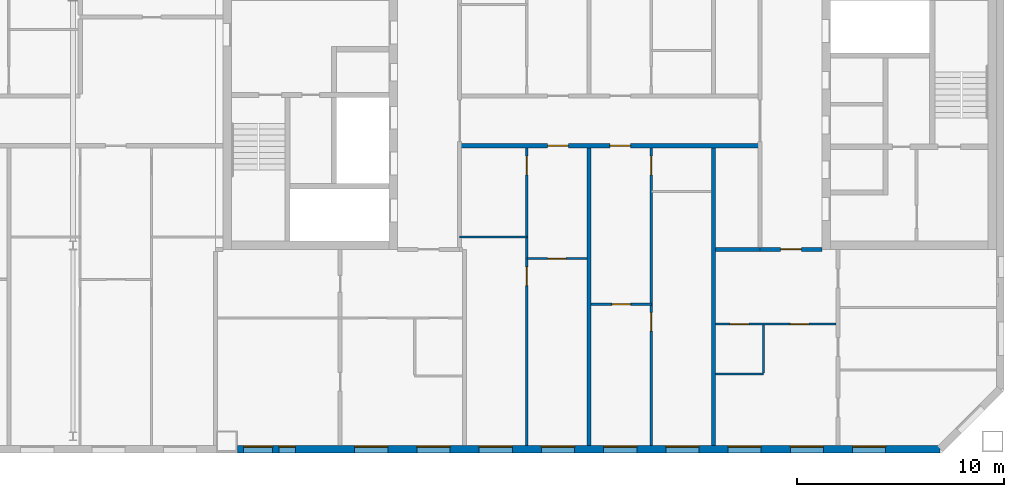
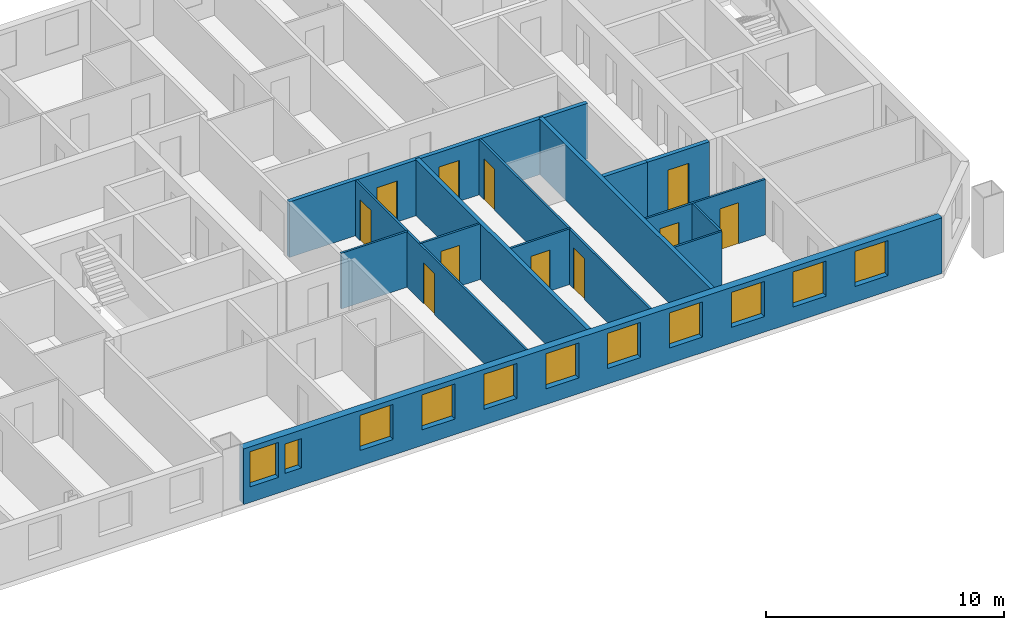
# One storey, part 14 of 19: 14 walls, 11 doors, 11 windows, 22 openings.
"""IFC4 building model written with IfcOpenShell, lengths in metres."""

from ifc_helpers import new_model, si_unit, direction, frame, frame_2d, origin, place, context, subcontext, project, spatial, rectangle, extrude, material, layer, layer_set, type_object, element, fill, save


model = new_model("IFC4")

# Units and contexts
model_context = context("Model", 3, precision=1e-05, world=origin(), true_north=direction((0.0, 1.0)))
body_context = subcontext(model_context, "Body", "Model", "MODEL_VIEW")
ifc_project = project(units=[si_unit("LENGTHUNIT", "METRE"), si_unit("AREAUNIT", "SQUARE_METRE"), si_unit("VOLUMEUNIT", "CUBIC_METRE"), si_unit("PLANEANGLEUNIT", "RADIAN"), si_unit("MASSUNIT", "GRAM", prefix="KILO")], contexts=[model_context])

# Site, building, storey
site_placement = place(None, origin())
site = spatial("IfcSite", under=ifc_project, at=site_placement, CompositionType="ELEMENT")
building_placement = place(site_placement, origin())
building = spatial("IfcBuilding", under=site, at=building_placement, Name="Tuart Gate Housing", CompositionType="ELEMENT")
storey_placement = place(building_placement, frame((0.0, 0.0, 209.0)))
storey = spatial("IfcBuildingStorey", under=building, at=storey_placement, Name="L59", CompositionType="ELEMENT", Elevation=209.0)

# Wall, openings, windows
ifc_material_1 = material(Name="Brick", Category="masonry")
ifc_layer_1 = layer(ifc_material_1, 0.360107421875)
ifc_layer_set_1 = layer_set([ifc_layer_1], Name="Brick pier and spandrel wall 360")
wall_type_1 = type_object("IfcWallType", Name="Brick pier and spandrel wall 360", PredefinedType="STANDARD", material=ifc_layer_set_1)
wall_1_placement = place(storey_placement, frame((132.050048828125, 54.179931640625, 0.0), z_axis=(0.0, 0.0, 1.0), x_axis=(1.0, 0.0, 0.0)))
wall_1 = element("IfcWall", 1, at=wall_1_placement, inside=storey, type_object=wall_type_1, Name="External wall BLK-S L59", PredefinedType="STANDARD", context=body_context, shape_type="SweptSolid", body=[
    extrude(rectangle(XDim=33.87548828125, YDim=0.360107421875, at=frame_2d((16.937744140625, 0.0))), origin(), (0.0, 0.0, 1.0), 2.85009765625),
])
opening_1_placement = place(wall_1_placement, frame((0.300048828125, 0.0, 0.800048828125)))
opening_1 = element("IfcOpeningElement", 2, at=opening_1_placement, cuts=wall_1, Name="Opening W1A", PredefinedType="OPENING", context=body_context, shape_type="SweptSolid", body=[
    extrude(rectangle(XDim=1.39990234375, YDim=1.800048828125, at=frame_2d((0.699951171875, 0.89990234375))), frame((0.0, 0.18994140625, 0.0), z_axis=(0.0, -1.0, 0.0), x_axis=(1.0, 0.0, 0.0)), (0.0, 0.0, 1.0), 0.380126953125),
])
opening_2_placement = place(wall_1_placement, frame((5.64990234375, 0.0, 0.800048828125)))
opening_2 = element("IfcOpeningElement", 3, at=opening_2_placement, cuts=wall_1, Name="Opening W1", PredefinedType="OPENING", context=body_context, shape_type="SweptSolid", body=[
    extrude(rectangle(XDim=1.60009765625, YDim=1.800048828125, at=frame_2d((0.800048828125, 0.89990234375))), frame((0.0, 0.18994140625, 0.0), z_axis=(0.0, -1.0, 0.0), x_axis=(1.0, 0.0, 0.0)), (0.0, 0.0, 1.0), 0.380126953125),
])
opening_3_placement = place(wall_1_placement, frame((8.64990234375, 0.0, 0.800048828125)))
opening_3 = element("IfcOpeningElement", 4, at=opening_3_placement, cuts=wall_1, Name="Opening W1", PredefinedType="OPENING", context=body_context, shape_type="SweptSolid", body=[
    extrude(rectangle(XDim=1.60009765625, YDim=1.800048828125, at=frame_2d((0.800048828125, 0.89990234375))), frame((0.0, 0.18994140625, 0.0), z_axis=(0.0, -1.0, 0.0), x_axis=(1.0, 0.0, 0.0)), (0.0, 0.0, 1.0), 0.380126953125),
])
opening_4_placement = place(wall_1_placement, frame((11.64990234375, 0.0, 0.800048828125)))
opening_4 = element("IfcOpeningElement", 5, at=opening_4_placement, cuts=wall_1, Name="Opening W1", PredefinedType="OPENING", context=body_context, shape_type="SweptSolid", body=[
    extrude(rectangle(XDim=1.60009765625, YDim=1.800048828125, at=frame_2d((0.800048828125, 0.89990234375))), frame((0.0, 0.18994140625, 0.0), z_axis=(0.0, -1.0, 0.0), x_axis=(1.0, 0.0, 0.0)), (0.0, 0.0, 1.0), 0.380126953125),
])
opening_5_placement = place(wall_1_placement, frame((14.64990234375, 0.0, 0.800048828125)))
opening_5 = element("IfcOpeningElement", 6, at=opening_5_placement, cuts=wall_1, Name="Opening W1", PredefinedType="OPENING", context=body_context, shape_type="SweptSolid", body=[
    extrude(rectangle(XDim=1.60009765625, YDim=1.800048828125, at=frame_2d((0.800048828125, 0.89990234375))), frame((0.0, 0.18994140625, 0.0), z_axis=(0.0, -1.0, 0.0), x_axis=(1.0, 0.0, 0.0)), (0.0, 0.0, 1.0), 0.380126953125),
])
opening_6_placement = place(wall_1_placement, frame((17.64990234375, 0.0, 0.800048828125)))
opening_6 = element("IfcOpeningElement", 7, at=opening_6_placement, cuts=wall_1, Name="Opening W1", PredefinedType="OPENING", context=body_context, shape_type="SweptSolid", body=[
    extrude(rectangle(XDim=1.60009765625, YDim=1.800048828125, at=frame_2d((0.800048828125, 0.89990234375))), frame((0.0, 0.18994140625, 0.0), z_axis=(0.0, -1.0, 0.0), x_axis=(1.0, 0.0, 0.0)), (0.0, 0.0, 1.0), 0.380126953125),
])
opening_7_placement = place(wall_1_placement, frame((20.64990234375, 0.0, 0.800048828125)))
opening_7 = element("IfcOpeningElement", 8, at=opening_7_placement, cuts=wall_1, Name="Opening W1", PredefinedType="OPENING", context=body_context, shape_type="SweptSolid", body=[
    extrude(rectangle(XDim=1.60009765625, YDim=1.800048828125, at=frame_2d((0.800048828125, 0.89990234375))), frame((0.0, 0.18994140625, 0.0), z_axis=(0.0, -1.0, 0.0), x_axis=(1.0, 0.0, 0.0)), (0.0, 0.0, 1.0), 0.380126953125),
])
opening_8_placement = place(wall_1_placement, frame((23.64990234375, 0.0, 0.800048828125)))
opening_8 = element("IfcOpeningElement", 9, at=opening_8_placement, cuts=wall_1, Name="Opening W1", PredefinedType="OPENING", context=body_context, shape_type="SweptSolid", body=[
    extrude(rectangle(XDim=1.60009765625, YDim=1.800048828125, at=frame_2d((0.800048828125, 0.89990234375))), frame((0.0, 0.18994140625, 0.0), z_axis=(0.0, -1.0, 0.0), x_axis=(1.0, 0.0, 0.0)), (0.0, 0.0, 1.0), 0.380126953125),
])
opening_9_placement = place(wall_1_placement, frame((26.64990234375, 0.0, 0.800048828125)))
opening_9 = element("IfcOpeningElement", 10, at=opening_9_placement, cuts=wall_1, Name="Opening W1", PredefinedType="OPENING", context=body_context, shape_type="SweptSolid", body=[
    extrude(rectangle(XDim=1.60009765625, YDim=1.800048828125, at=frame_2d((0.800048828125, 0.89990234375))), frame((0.0, 0.18994140625, 0.0), z_axis=(0.0, -1.0, 0.0), x_axis=(1.0, 0.0, 0.0)), (0.0, 0.0, 1.0), 0.380126953125),
])
opening_10_placement = place(wall_1_placement, frame((29.64990234375, 0.0, 0.800048828125)))
opening_10 = element("IfcOpeningElement", 11, at=opening_10_placement, cuts=wall_1, Name="Opening W1", PredefinedType="OPENING", context=body_context, shape_type="SweptSolid", body=[
    extrude(rectangle(XDim=1.60009765625, YDim=1.800048828125, at=frame_2d((0.800048828125, 0.89990234375))), frame((0.0, 0.18994140625, 0.0), z_axis=(0.0, -1.0, 0.0), x_axis=(1.0, 0.0, 0.0)), (0.0, 0.0, 1.0), 0.380126953125),
])
opening_11_placement = place(wall_1_placement, frame((2.0, 0.0, 0.89990234375)))
opening_11 = element("IfcOpeningElement", 12, at=opening_11_placement, cuts=wall_1, Name="Opening W1J", PredefinedType="OPENING", context=body_context, shape_type="SweptSolid", body=[
    extrude(rectangle(XDim=0.800048828125, YDim=1.5, at=frame_2d((0.39990234375, 0.75))), frame((0.0, 0.18994140625, 0.0), z_axis=(0.0, -1.0, 0.0), x_axis=(1.0, 0.0, 0.0)), (0.0, 0.0, 1.0), 0.380126953125),
])
ifc_material_2 = material(Name="Aluminium frame with clear glass", Category="aluminium")
window_type_1 = type_object("IfcWindowType", Name="Punched window 1400 x 1800", PartitioningType="SINGLE_PANEL", PredefinedType="WINDOW", material=ifc_material_2)
window_1_placement = place(opening_1_placement, origin())
window_1 = element("IfcWindow", 13, at=window_1_placement, inside=storey, type_object=window_type_1, Name="Window W1A", OverallHeight=1.800048828125, OverallWidth=1.39990234375, PartitioningType="SINGLE_PANEL", PredefinedType="WINDOW", context=body_context, shape_type="SweptSolid", body=[
    extrude(rectangle(XDim=1.39990234375, YDim=1.800048828125, at=frame_2d((0.699951171875, 0.89990234375))), frame((0.0, 0.150146484375, 0.0), z_axis=(0.0, -1.0, 0.0), x_axis=(1.0, 0.0, 0.0)), (0.0, 0.0, 1.0), 0.06005859375),
])
fill(opening_1, window_1)
ifc_material_3 = material(Name="Aluminium frame with clear glass", Category="aluminium")
window_type_2 = type_object("IfcWindowType", Name="Punched window 1600 x 1800", PartitioningType="SINGLE_PANEL", PredefinedType="WINDOW", material=ifc_material_3)
window_2_placement = place(opening_2_placement, origin())
window_2 = element("IfcWindow", 14, at=window_2_placement, inside=storey, type_object=window_type_2, Name="Window W1", OverallHeight=1.800048828125, OverallWidth=1.60009765625, PartitioningType="SINGLE_PANEL", PredefinedType="WINDOW", context=body_context, shape_type="SweptSolid", body=[
    extrude(rectangle(XDim=1.60009765625, YDim=1.800048828125, at=frame_2d((0.800048828125, 0.89990234375))), frame((0.0, 0.150146484375, 0.0), z_axis=(0.0, -1.0, 0.0), x_axis=(1.0, 0.0, 0.0)), (0.0, 0.0, 1.0), 0.06005859375),
])
fill(opening_2, window_2)
window_3_placement = place(opening_3_placement, origin())
window_3 = element("IfcWindow", 15, at=window_3_placement, inside=storey, type_object=window_type_2, Name="Window W1", OverallHeight=1.800048828125, OverallWidth=1.60009765625, PartitioningType="SINGLE_PANEL", PredefinedType="WINDOW", context=body_context, shape_type="SweptSolid", body=[
    extrude(rectangle(XDim=1.60009765625, YDim=1.800048828125, at=frame_2d((0.800048828125, 0.89990234375))), frame((0.0, 0.150146484375, 0.0), z_axis=(0.0, -1.0, 0.0), x_axis=(1.0, 0.0, 0.0)), (0.0, 0.0, 1.0), 0.06005859375),
])
fill(opening_3, window_3)
window_4_placement = place(opening_4_placement, origin())
window_4 = element("IfcWindow", 16, at=window_4_placement, inside=storey, type_object=window_type_2, Name="Window W1", OverallHeight=1.800048828125, OverallWidth=1.60009765625, PartitioningType="SINGLE_PANEL", PredefinedType="WINDOW", context=body_context, shape_type="SweptSolid", body=[
    extrude(rectangle(XDim=1.60009765625, YDim=1.800048828125, at=frame_2d((0.800048828125, 0.89990234375))), frame((0.0, 0.150146484375, 0.0), z_axis=(0.0, -1.0, 0.0), x_axis=(1.0, 0.0, 0.0)), (0.0, 0.0, 1.0), 0.06005859375),
])
fill(opening_4, window_4)
window_5_placement = place(opening_5_placement, origin())
window_5 = element("IfcWindow", 17, at=window_5_placement, inside=storey, type_object=window_type_2, Name="Window W1", OverallHeight=1.800048828125, OverallWidth=1.60009765625, PartitioningType="SINGLE_PANEL", PredefinedType="WINDOW", context=body_context, shape_type="SweptSolid", body=[
    extrude(rectangle(XDim=1.60009765625, YDim=1.800048828125, at=frame_2d((0.800048828125, 0.89990234375))), frame((0.0, 0.150146484375, 0.0), z_axis=(0.0, -1.0, 0.0), x_axis=(1.0, 0.0, 0.0)), (0.0, 0.0, 1.0), 0.06005859375),
])
fill(opening_5, window_5)
window_6_placement = place(opening_6_placement, origin())
window_6 = element("IfcWindow", 18, at=window_6_placement, inside=storey, type_object=window_type_2, Name="Window W1", OverallHeight=1.800048828125, OverallWidth=1.60009765625, PartitioningType="SINGLE_PANEL", PredefinedType="WINDOW", context=body_context, shape_type="SweptSolid", body=[
    extrude(rectangle(XDim=1.60009765625, YDim=1.800048828125, at=frame_2d((0.800048828125, 0.89990234375))), frame((0.0, 0.150146484375, 0.0), z_axis=(0.0, -1.0, 0.0), x_axis=(1.0, 0.0, 0.0)), (0.0, 0.0, 1.0), 0.06005859375),
])
fill(opening_6, window_6)
window_7_placement = place(opening_7_placement, origin())
window_7 = element("IfcWindow", 19, at=window_7_placement, inside=storey, type_object=window_type_2, Name="Window W1", OverallHeight=1.800048828125, OverallWidth=1.60009765625, PartitioningType="SINGLE_PANEL", PredefinedType="WINDOW", context=body_context, shape_type="SweptSolid", body=[
    extrude(rectangle(XDim=1.60009765625, YDim=1.800048828125, at=frame_2d((0.800048828125, 0.89990234375))), frame((0.0, 0.150146484375, 0.0), z_axis=(0.0, -1.0, 0.0), x_axis=(1.0, 0.0, 0.0)), (0.0, 0.0, 1.0), 0.06005859375),
])
fill(opening_7, window_7)
window_8_placement = place(opening_8_placement, origin())
window_8 = element("IfcWindow", 20, at=window_8_placement, inside=storey, type_object=window_type_2, Name="Window W1", OverallHeight=1.800048828125, OverallWidth=1.60009765625, PartitioningType="SINGLE_PANEL", PredefinedType="WINDOW", context=body_context, shape_type="SweptSolid", body=[
    extrude(rectangle(XDim=1.60009765625, YDim=1.800048828125, at=frame_2d((0.800048828125, 0.89990234375))), frame((0.0, 0.150146484375, 0.0), z_axis=(0.0, -1.0, 0.0), x_axis=(1.0, 0.0, 0.0)), (0.0, 0.0, 1.0), 0.06005859375),
])
fill(opening_8, window_8)
window_9_placement = place(opening_9_placement, origin())
window_9 = element("IfcWindow", 21, at=window_9_placement, inside=storey, type_object=window_type_2, Name="Window W1", OverallHeight=1.800048828125, OverallWidth=1.60009765625, PartitioningType="SINGLE_PANEL", PredefinedType="WINDOW", context=body_context, shape_type="SweptSolid", body=[
    extrude(rectangle(XDim=1.60009765625, YDim=1.800048828125, at=frame_2d((0.800048828125, 0.89990234375))), frame((0.0, 0.150146484375, 0.0), z_axis=(0.0, -1.0, 0.0), x_axis=(1.0, 0.0, 0.0)), (0.0, 0.0, 1.0), 0.06005859375),
])
fill(opening_9, window_9)
window_10_placement = place(opening_10_placement, origin())
window_10 = element("IfcWindow", 22, at=window_10_placement, inside=storey, type_object=window_type_2, Name="Window W1", OverallHeight=1.800048828125, OverallWidth=1.60009765625, PartitioningType="SINGLE_PANEL", PredefinedType="WINDOW", context=body_context, shape_type="SweptSolid", body=[
    extrude(rectangle(XDim=1.60009765625, YDim=1.800048828125, at=frame_2d((0.800048828125, 0.89990234375))), frame((0.0, 0.150146484375, 0.0), z_axis=(0.0, -1.0, 0.0), x_axis=(1.0, 0.0, 0.0)), (0.0, 0.0, 1.0), 0.06005859375),
])
fill(opening_10, window_10)
ifc_material_4 = material(Name="Aluminium frame with clear glass", Category="aluminium")
window_type_3 = type_object("IfcWindowType", Name="Punched window 800 x 1500", PartitioningType="SINGLE_PANEL", PredefinedType="WINDOW", material=ifc_material_4)
window_11_placement = place(opening_11_placement, origin())
window_11 = element("IfcWindow", 23, at=window_11_placement, inside=storey, type_object=window_type_3, Name="Window W1J", OverallHeight=1.5, OverallWidth=0.800048828125, PartitioningType="SINGLE_PANEL", PredefinedType="WINDOW", context=body_context, shape_type="SweptSolid", body=[
    extrude(rectangle(XDim=0.800048828125, YDim=1.5, at=frame_2d((0.39990234375, 0.75))), frame((0.0, 0.150146484375, 0.0), z_axis=(0.0, -1.0, 0.0), x_axis=(1.0, 0.0, 0.0)), (0.0, 0.0, 1.0), 0.06005859375),
])
fill(opening_11, window_11)

# Wall, openings, doors
ifc_material_5 = material(Name="Concrete masonry 15 MPa", Category="masonry")
ifc_layer_2 = layer(ifc_material_5, 0.199951171875)
ifc_layer_set_2 = layer_set([ifc_layer_2], Name="Corridor wall masonry 200")
wall_type_2 = type_object("IfcWallType", Name="Corridor wall masonry 200", PredefinedType="PARTITIONING", material=ifc_layer_set_2)
wall_2_placement = place(storey_placement, frame((142.760009765625, 68.800048828125, 0.0), z_axis=(0.0, 0.0, 1.0), x_axis=(1.0, 0.0, 0.0)))
wall_2 = element("IfcWall", 24, at=wall_2_placement, inside=storey, type_object=wall_type_2, Name="Corridor wall masonry 200", PredefinedType="PARTITIONING", context=body_context, shape_type="SweptSolid", body=[
    extrude(rectangle(XDim=14.47998046875, YDim=0.199951171875, at=frame_2d((7.239990234375, 0.0))), origin(), (0.0, 0.0, 1.0), 2.85009765625),
])
opening_12_placement = place(wall_2_placement, frame((4.239990234375, 0.0, 0.0)))
opening_12 = element("IfcOpeningElement", 25, at=opening_12_placement, cuts=wall_2, Name="Opening D2254", PredefinedType="OPENING", context=body_context, shape_type="SweptSolid", body=[
    extrude(rectangle(XDim=1.0, YDim=2.10009765625, at=frame_2d((0.5, 1.050048828125))), frame((0.0, 0.10986328125, 0.0), z_axis=(0.0, -1.0, 0.0), x_axis=(1.0, 0.0, 0.0)), (0.0, 0.0, 1.0), 0.219970703125),
])
opening_13_placement = place(wall_2_placement, frame((7.239990234375, 0.0, 0.0)))
opening_13 = element("IfcOpeningElement", 26, at=opening_13_placement, cuts=wall_2, Name="Opening D2255", PredefinedType="OPENING", context=body_context, shape_type="SweptSolid", body=[
    extrude(rectangle(XDim=1.0, YDim=2.10009765625, at=frame_2d((0.5, 1.050048828125))), frame((0.0, 0.10986328125, 0.0), z_axis=(0.0, -1.0, 0.0), x_axis=(1.0, 0.0, 0.0)), (0.0, 0.0, 1.0), 0.219970703125),
])
ifc_material_6 = material(Name="Timber door leaf in steel frame", Category="steel")
door_type_1 = type_object("IfcDoorType", Name="Flat entrance door 1000 RH", OperationType="SINGLE_SWING_RIGHT", PredefinedType="DOOR", material=ifc_material_6)
door_1_placement = place(opening_12_placement, frame((1.0, 0.0, 0.0), z_axis=(0.0, 0.0, 1.0), x_axis=(-1.0, 0.0, 0.0)))
door_1 = element("IfcDoor", 27, at=door_1_placement, inside=storey, type_object=door_type_1, Name="Flat entrance door", OperationType="SINGLE_SWING_RIGHT", OverallHeight=2.10009765625, OverallWidth=1.0, PredefinedType="DOOR", context=body_context, shape_type="SweptSolid", body=[
    extrude(rectangle(XDim=1.0, YDim=2.10009765625, at=frame_2d((0.5, 1.050048828125))), frame((0.0, 0.025146484375, 0.0), z_axis=(0.0, -1.0, 0.0), x_axis=(1.0, 0.0, 0.0)), (0.0, 0.0, 1.0), 0.050048828125),
])
fill(opening_12, door_1)
door_2_placement = place(opening_13_placement, frame((1.0, 0.0, 0.0), z_axis=(0.0, 0.0, 1.0), x_axis=(-1.0, 0.0, 0.0)))
door_2 = element("IfcDoor", 28, at=door_2_placement, inside=storey, type_object=door_type_1, Name="Flat entrance door", OperationType="SINGLE_SWING_RIGHT", OverallHeight=2.10009765625, OverallWidth=1.0, PredefinedType="DOOR", context=body_context, shape_type="SweptSolid", body=[
    extrude(rectangle(XDim=1.0, YDim=2.10009765625, at=frame_2d((0.5, 1.050048828125))), frame((0.0, 0.025146484375, 0.0), z_axis=(0.0, -1.0, 0.0), x_axis=(1.0, 0.0, 0.0)), (0.0, 0.0, 1.0), 0.050048828125),
])
fill(opening_13, door_2)

# Wall, opening, door
ifc_material_7 = material(Name="Concrete masonry 15 MPa", Category="masonry")
ifc_layer_3 = layer(ifc_material_7, 0.199951171875)
ifc_layer_set_3 = layer_set([ifc_layer_3], Name="Enclosure wall masonry 200")
wall_type_3 = type_object("IfcWallType", Name="Enclosure wall masonry 200", PredefinedType="PARTITIONING", material=ifc_layer_set_3)
wall_3_placement = place(storey_placement, frame((157.239990234375, 63.800048828125, 0.0), z_axis=(0.0, 0.0, 1.0), x_axis=(1.0, 0.0, 0.0)))
wall_3 = element("IfcWall", 29, at=wall_3_placement, inside=storey, type_object=wall_type_3, Name="Enclosure wall masonry 200", PredefinedType="PARTITIONING", context=body_context, shape_type="SweptSolid", body=[
    extrude(rectangle(XDim=3.0, YDim=0.199951171875, at=frame_2d((1.5, 0.0))), origin(), (0.0, 0.0, 1.0), 2.85009765625),
])
opening_14_placement = place(wall_3_placement, frame((1.0, 0.0, 0.0)))
opening_14 = element("IfcOpeningElement", 30, at=opening_14_placement, cuts=wall_3, Name="Opening D2260", PredefinedType="OPENING", context=body_context, shape_type="SweptSolid", body=[
    extrude(rectangle(XDim=1.0, YDim=2.10009765625, at=frame_2d((0.5, 1.050048828125))), frame((0.0, 0.10986328125, 0.0), z_axis=(0.0, -1.0, 0.0), x_axis=(1.0, 0.0, 0.0)), (0.0, 0.0, 1.0), 0.219970703125),
])
ifc_material_8 = material(Name="Timber door leaf in steel frame", Category="steel")
door_type_2 = type_object("IfcDoorType", Name="Flat entrance door 1000", OperationType="SINGLE_SWING_LEFT", PredefinedType="DOOR", material=ifc_material_8)
door_3_placement = place(opening_14_placement, frame((1.0, 0.0, 0.0), z_axis=(0.0, 0.0, 1.0), x_axis=(-1.0, 0.0, 0.0)))
door_3 = element("IfcDoor", 31, at=door_3_placement, inside=storey, type_object=door_type_2, Name="Flat entrance door", OperationType="SINGLE_SWING_LEFT", OverallHeight=2.10009765625, OverallWidth=1.0, PredefinedType="DOOR", context=body_context, shape_type="SweptSolid", body=[
    extrude(rectangle(XDim=1.0, YDim=2.10009765625, at=frame_2d((0.5, 1.050048828125))), frame((0.0, 0.025146484375, 0.0), z_axis=(0.0, -1.0, 0.0), x_axis=(1.0, 0.0, 0.0)), (0.0, 0.0, 1.0), 0.050048828125),
])
fill(opening_14, door_3)

# Wall
ifc_material_9 = material(Name="Gypsum board on steel studs", Category="steel")
ifc_layer_4 = layer(ifc_material_9, 0.10009765625)
ifc_layer_set_4 = layer_set([ifc_layer_4], Name="Partition 100")
wall_type_4 = type_object("IfcWallType", Name="Partition 100", PredefinedType="PARTITIONING", material=ifc_layer_set_4)
wall_4_placement = place(storey_placement, frame((155.10009765625, 57.800048828125, 0.0), z_axis=(0.0, 0.0, 1.0), x_axis=(1.0, 0.0, 0.0)))
element("IfcWall", 32, at=wall_4_placement, inside=storey, type_object=wall_type_4, Name="Partition 100", PredefinedType="PARTITIONING", context=body_context, shape_type="SweptSolid", body=[
    extrude(rectangle(XDim=2.2998046875, YDim=0.10009765625, at=frame_2d((1.14990234375, 0.0))), origin(), (0.0, 0.0, 1.0), 2.85009765625),
])

# Wall, openings, doors
wall_5_placement = place(storey_placement, frame((155.10009765625, 60.199951171875, 0.0), z_axis=(0.0, 0.0, 1.0), x_axis=(1.0, 0.0, 0.0)))
wall_5 = element("IfcWall", 33, at=wall_5_placement, inside=storey, type_object=wall_type_4, Name="Partition 100", PredefinedType="PARTITIONING", context=body_context, shape_type="SweptSolid", body=[
    extrude(rectangle(XDim=5.7998046875, YDim=0.10009765625, at=frame_2d((2.89990234375, 0.0))), origin(), (0.0, 0.0, 1.0), 2.85009765625),
])
opening_15_placement = place(wall_5_placement, frame((3.60009765625, 0.0, 0.0)))
opening_15 = element("IfcOpeningElement", 34, at=opening_15_placement, cuts=wall_5, Name="Opening D2270", PredefinedType="OPENING", context=body_context, shape_type="SweptSolid", body=[
    extrude(rectangle(XDim=0.89990234375, YDim=2.10009765625, at=frame_2d((0.449951171875, 1.050048828125))), frame((0.0, 0.06005859375, 0.0), z_axis=(0.0, -1.0, 0.0), x_axis=(1.0, 0.0, 0.0)), (0.0, 0.0, 1.0), 0.1201171875),
])
opening_16_placement = place(wall_5_placement, frame((0.699951171875, 0.0, 0.0)))
opening_16 = element("IfcOpeningElement", 35, at=opening_16_placement, cuts=wall_5, Name="Opening D2269", PredefinedType="OPENING", context=body_context, shape_type="SweptSolid", body=[
    extrude(rectangle(XDim=0.89990234375, YDim=2.10009765625, at=frame_2d((0.449951171875, 1.050048828125))), frame((0.0, 0.06005859375, 0.0), z_axis=(0.0, -1.0, 0.0), x_axis=(1.0, 0.0, 0.0)), (0.0, 0.0, 1.0), 0.1201171875),
])
ifc_material_10 = material(Name="Timber door leaf in steel frame", Category="steel")
door_type_3 = type_object("IfcDoorType", Name="Bathroom door 900", OperationType="SINGLE_SWING_LEFT", PredefinedType="DOOR", material=ifc_material_10)
door_4_placement = place(opening_16_placement, frame((0.89990234375, 0.0, 0.0), z_axis=(0.0, 0.0, 1.0), x_axis=(-1.0, 0.0, 0.0)))
door_4 = element("IfcDoor", 36, at=door_4_placement, inside=storey, type_object=door_type_3, Name="Bathroom door", OperationType="SINGLE_SWING_LEFT", OverallHeight=2.10009765625, OverallWidth=0.89990234375, PredefinedType="DOOR", context=body_context, shape_type="SweptSolid", body=[
    extrude(rectangle(XDim=0.89990234375, YDim=2.10009765625, at=frame_2d((0.449951171875, 1.050048828125))), frame((0.0, 0.025146484375, 0.0), z_axis=(0.0, -1.0, 0.0), x_axis=(1.0, 0.0, 0.0)), (0.0, 0.0, 1.0), 0.050048828125),
])
fill(opening_16, door_4)
ifc_material_11 = material(Name="Timber door leaf in steel frame", Category="steel")
door_type_4 = type_object("IfcDoorType", Name="Internal door 900 RH", OperationType="SINGLE_SWING_RIGHT", PredefinedType="DOOR", material=ifc_material_11)
door_5_placement = place(opening_15_placement, origin())
door_5 = element("IfcDoor", 37, at=door_5_placement, inside=storey, type_object=door_type_4, Name="Internal door", OperationType="SINGLE_SWING_RIGHT", OverallHeight=2.10009765625, OverallWidth=0.89990234375, PredefinedType="DOOR", context=body_context, shape_type="SweptSolid", body=[
    extrude(rectangle(XDim=0.89990234375, YDim=2.10009765625, at=frame_2d((0.449951171875, 1.050048828125))), frame((0.0, 0.02490234375, 0.0), z_axis=(0.0, -1.0, 0.0), x_axis=(1.0, 0.0, 0.0)), (0.0, 0.0, 1.0), 0.050048828125),
])
fill(opening_15, door_5)

# Wall, opening, door
wall_6_placement = place(storey_placement, frame((149.10009765625, 61.159912109375, 0.0), z_axis=(0.0, 0.0, 1.0), x_axis=(1.0, 0.0, 0.0)))
wall_6 = element("IfcWall", 38, at=wall_6_placement, inside=storey, type_object=wall_type_4, Name="Partition 100", PredefinedType="PARTITIONING", context=body_context, shape_type="SweptSolid", body=[
    extrude(rectangle(XDim=2.89990234375, YDim=0.10009765625, at=frame_2d((1.449951171875, 0.0))), origin(), (0.0, 0.0, 1.0), 2.85009765625),
])
opening_17_placement = place(wall_6_placement, frame((1.0, 0.0, 0.0)))
opening_17 = element("IfcOpeningElement", 39, at=opening_17_placement, cuts=wall_6, Name="Opening D2266", PredefinedType="OPENING", context=body_context, shape_type="SweptSolid", body=[
    extrude(rectangle(XDim=0.89990234375, YDim=2.10009765625, at=frame_2d((0.449951171875, 1.050048828125))), frame((0.0, 0.06005859375, 0.0), z_axis=(0.0, -1.0, 0.0), x_axis=(1.0, 0.0, 0.0)), (0.0, 0.0, 1.0), 0.1201171875),
])
door_6_placement = place(opening_17_placement, origin())
door_6 = element("IfcDoor", 40, at=door_6_placement, inside=storey, type_object=door_type_4, Name="Internal door", OperationType="SINGLE_SWING_RIGHT", OverallHeight=2.10009765625, OverallWidth=0.89990234375, PredefinedType="DOOR", context=body_context, shape_type="SweptSolid", body=[
    extrude(rectangle(XDim=0.89990234375, YDim=2.10009765625, at=frame_2d((0.449951171875, 1.050048828125))), frame((0.0, 0.02490234375, 0.0), z_axis=(0.0, -1.0, 0.0), x_axis=(1.0, 0.0, 0.0)), (0.0, 0.0, 1.0), 0.050048828125),
])
fill(opening_17, door_6)

wall_7_placement = place(storey_placement, frame((146.0, 63.360107421875, 0.0), z_axis=(0.0, 0.0, 1.0), x_axis=(1.0, 0.0, 0.0)))
wall_7 = element("IfcWall", 41, at=wall_7_placement, inside=storey, type_object=wall_type_4, Name="Partition 100", PredefinedType="PARTITIONING", context=body_context, shape_type="SweptSolid", body=[
    extrude(rectangle(XDim=2.89990234375, YDim=0.10009765625, at=frame_2d((1.449951171875, 0.0))), origin(), (0.0, 0.0, 1.0), 2.85009765625),
])
opening_18_placement = place(wall_7_placement, frame((1.0, 0.0, 0.0)))
opening_18 = element("IfcOpeningElement", 42, at=opening_18_placement, cuts=wall_7, Name="Opening D2261", PredefinedType="OPENING", context=body_context, shape_type="SweptSolid", body=[
    extrude(rectangle(XDim=0.89990234375, YDim=2.10009765625, at=frame_2d((0.449951171875, 1.050048828125))), frame((0.0, 0.06005859375, 0.0), z_axis=(0.0, -1.0, 0.0), x_axis=(1.0, 0.0, 0.0)), (0.0, 0.0, 1.0), 0.1201171875),
])
ifc_material_12 = material(Name="Timber door leaf in steel frame", Category="steel")
door_type_5 = type_object("IfcDoorType", Name="Internal door 900", OperationType="SINGLE_SWING_LEFT", PredefinedType="DOOR", material=ifc_material_12)
door_7_placement = place(opening_18_placement, origin())
door_7 = element("IfcDoor", 43, at=door_7_placement, inside=storey, type_object=door_type_5, Name="Internal door", OperationType="SINGLE_SWING_LEFT", OverallHeight=2.10009765625, OverallWidth=0.89990234375, PredefinedType="DOOR", context=body_context, shape_type="SweptSolid", body=[
    extrude(rectangle(XDim=0.89990234375, YDim=2.10009765625, at=frame_2d((0.449951171875, 1.050048828125))), frame((0.0, 0.02490234375, 0.0), z_axis=(0.0, -1.0, 0.0), x_axis=(1.0, 0.0, 0.0)), (0.0, 0.0, 1.0), 0.050048828125),
])
fill(opening_18, door_7)

# Wall
wall_8_placement = place(storey_placement, frame((142.760009765625, 64.39990234375, 0.0), z_axis=(0.0, 0.0, 1.0), x_axis=(1.0, 0.0, 0.0)))
element("IfcWall", 44, at=wall_8_placement, inside=storey, type_object=wall_type_4, Name="Partition 100", PredefinedType="PARTITIONING", context=body_context, shape_type="SweptSolid", body=[
    extrude(rectangle(XDim=3.239990234375, YDim=0.10009765625, at=frame_2d((1.6201171875, 0.0))), origin(), (0.0, 0.0, 1.0), 2.85009765625),
])

# Wall, openings, doors
wall_9_placement = place(storey_placement, frame((146.0, 54.360107421875, 0.0), z_axis=(0.0, 0.0, 1.0), x_axis=(0.0, 1.0, 0.0)))
wall_9 = element("IfcWall", 45, at=wall_9_placement, inside=storey, type_object=wall_type_4, Name="Partition 100", PredefinedType="PARTITIONING", context=body_context, shape_type="SweptSolid", body=[
    extrude(rectangle(XDim=14.33984375, YDim=0.10009765625, at=frame_2d((7.169921875, 0.0))), origin(), (0.0, 0.0, 1.0), 2.85009765625),
])
opening_19_placement = place(wall_9_placement, frame((7.699951171875, 0.0, 0.0)))
opening_19 = element("IfcOpeningElement", 46, at=opening_19_placement, cuts=wall_9, Name="Opening D2263", PredefinedType="OPENING", context=body_context, shape_type="SweptSolid", body=[
    extrude(rectangle(XDim=0.89990234375, YDim=2.10009765625, at=frame_2d((0.449951171875, 1.050048828125))), frame((0.0, 0.06005859375, 0.0), z_axis=(0.0, -1.0, 0.0), x_axis=(1.0, 0.0, 0.0)), (0.0, 0.0, 1.0), 0.1201171875),
])
opening_20_placement = place(wall_9_placement, frame((13.0400390625, 0.0, 0.0)))
opening_20 = element("IfcOpeningElement", 47, at=opening_20_placement, cuts=wall_9, Name="Opening D2262", PredefinedType="OPENING", context=body_context, shape_type="SweptSolid", body=[
    extrude(rectangle(XDim=0.89990234375, YDim=2.10009765625, at=frame_2d((0.449951171875, 1.050048828125))), frame((0.0, 0.06005859375, 0.0), z_axis=(0.0, -1.0, 0.0), x_axis=(1.0, 0.0, 0.0)), (0.0, 0.0, 1.0), 0.1201171875),
])
ifc_material_13 = material(Name="Timber door leaf in steel frame", Category="steel")
door_type_6 = type_object("IfcDoorType", Name="Bathroom door 900 RH", OperationType="SINGLE_SWING_RIGHT", PredefinedType="DOOR", material=ifc_material_13)
door_8_placement = place(opening_20_placement, origin())
door_8 = element("IfcDoor", 48, at=door_8_placement, inside=storey, type_object=door_type_6, Name="Bathroom door", OperationType="SINGLE_SWING_RIGHT", OverallHeight=2.10009765625, OverallWidth=0.89990234375, PredefinedType="DOOR", context=body_context, shape_type="SweptSolid", body=[
    extrude(rectangle(XDim=0.89990234375, YDim=2.10009765625, at=frame_2d((0.449951171875, 1.050048828125))), frame((0.0, 0.02490234375, 0.0), z_axis=(0.0, -1.0, 0.0), x_axis=(1.0, 0.0, 0.0)), (0.0, 0.0, 1.0), 0.050048828125),
])
fill(opening_20, door_8)
door_9_placement = place(opening_19_placement, origin())
door_9 = element("IfcDoor", 49, at=door_9_placement, inside=storey, type_object=door_type_4, Name="Internal door", OperationType="SINGLE_SWING_RIGHT", OverallHeight=2.10009765625, OverallWidth=0.89990234375, PredefinedType="DOOR", context=body_context, shape_type="SweptSolid", body=[
    extrude(rectangle(XDim=0.89990234375, YDim=2.10009765625, at=frame_2d((0.449951171875, 1.050048828125))), frame((0.0, 0.02490234375, 0.0), z_axis=(0.0, -1.0, 0.0), x_axis=(1.0, 0.0, 0.0)), (0.0, 0.0, 1.0), 0.050048828125),
])
fill(opening_19, door_9)

wall_10_placement = place(storey_placement, frame((152.0, 54.360107421875, 0.0), z_axis=(0.0, 0.0, 1.0), x_axis=(0.0, 1.0, 0.0)))
wall_10 = element("IfcWall", 50, at=wall_10_placement, inside=storey, type_object=wall_type_4, Name="Partition 100", PredefinedType="PARTITIONING", context=body_context, shape_type="SweptSolid", body=[
    extrude(rectangle(XDim=14.33984375, YDim=0.10009765625, at=frame_2d((7.169921875, 0.0))), origin(), (0.0, 0.0, 1.0), 2.85009765625),
])
opening_21_placement = place(wall_10_placement, frame((5.5, 0.0, 0.0)))
opening_21 = element("IfcOpeningElement", 51, at=opening_21_placement, cuts=wall_10, Name="Opening D2265", PredefinedType="OPENING", context=body_context, shape_type="SweptSolid", body=[
    extrude(rectangle(XDim=0.89990234375, YDim=2.10009765625, at=frame_2d((0.449951171875, 1.050048828125))), frame((0.0, 0.06005859375, 0.0), z_axis=(0.0, -1.0, 0.0), x_axis=(1.0, 0.0, 0.0)), (0.0, 0.0, 1.0), 0.1201171875),
])
opening_22_placement = place(wall_10_placement, frame((13.0400390625, 0.0, 0.0)))
opening_22 = element("IfcOpeningElement", 52, at=opening_22_placement, cuts=wall_10, Name="Opening D2264", PredefinedType="OPENING", context=body_context, shape_type="SweptSolid", body=[
    extrude(rectangle(XDim=0.89990234375, YDim=2.10009765625, at=frame_2d((0.449951171875, 1.050048828125))), frame((0.0, 0.06005859375, 0.0), z_axis=(0.0, -1.0, 0.0), x_axis=(1.0, 0.0, 0.0)), (0.0, 0.0, 1.0), 0.1201171875),
])
door_10_placement = place(opening_22_placement, frame((0.89990234375, 0.0, 0.0), z_axis=(0.0, 0.0, 1.0), x_axis=(-1.0, 0.0, 0.0)))
door_10 = element("IfcDoor", 53, at=door_10_placement, inside=storey, type_object=door_type_3, Name="Bathroom door", OperationType="SINGLE_SWING_LEFT", OverallHeight=2.10009765625, OverallWidth=0.89990234375, PredefinedType="DOOR", context=body_context, shape_type="SweptSolid", body=[
    extrude(rectangle(XDim=0.89990234375, YDim=2.10009765625, at=frame_2d((0.449951171875, 1.050048828125))), frame((0.0, 0.025146484375, 0.0), z_axis=(0.0, -1.0, 0.0), x_axis=(1.0, 0.0, 0.0)), (0.0, 0.0, 1.0), 0.050048828125),
])
fill(opening_22, door_10)
door_11_placement = place(opening_21_placement, frame((0.89990234375, 0.0, 0.0), z_axis=(0.0, 0.0, 1.0), x_axis=(-1.0, 0.0, 0.0)))
door_11 = element("IfcDoor", 54, at=door_11_placement, inside=storey, type_object=door_type_4, Name="Internal door", OperationType="SINGLE_SWING_RIGHT", OverallHeight=2.10009765625, OverallWidth=0.89990234375, PredefinedType="DOOR", context=body_context, shape_type="SweptSolid", body=[
    extrude(rectangle(XDim=0.89990234375, YDim=2.10009765625, at=frame_2d((0.449951171875, 1.050048828125))), frame((0.0, 0.025146484375, 0.0), z_axis=(0.0, -1.0, 0.0), x_axis=(1.0, 0.0, 0.0)), (0.0, 0.0, 1.0), 0.050048828125),
])
fill(opening_21, door_11)

# Walls
wall_11_placement = place(storey_placement, frame((157.39990234375, 57.85009765625, 0.0), z_axis=(0.0, 0.0, 1.0), x_axis=(0.0, 1.0, 0.0)))
element("IfcWall", 55, at=wall_11_placement, inside=storey, type_object=wall_type_4, Name="Partition 100", PredefinedType="PARTITIONING", context=body_context, shape_type="SweptSolid", body=[
    extrude(rectangle(XDim=2.2998046875, YDim=0.10009765625, at=frame_2d((1.14990234375, 0.0))), origin(), (0.0, 0.0, 1.0), 2.85009765625),
])
ifc_material_14 = material(Name="Concrete C40", Category="concrete")
ifc_layer_5 = layer(ifc_material_14, 0.199951171875)
ifc_layer_set_5 = layer_set([ifc_layer_5], Name="Party wall concrete C40 200")
wall_type_5 = type_object("IfcWallType", Name="Party wall concrete C40 200", PredefinedType="SOLIDWALL", material=ifc_layer_set_5)
for number, where, z_axis, x_axis, name in (
    (56, (149.0, 54.360107421875, 0.0), (0.0, 0.0, 1.0), (0.0, 1.0, 0.0), "Party wall concrete C40 200"),
    (57, (155.0, 54.360107421875, 0.0), (0.0, 0.0, 1.0), (0.0, 1.0, 0.0), "Party wall concrete C40 200"),
):
    element("IfcWall", number, at=place(storey_placement, frame(where, z_axis=z_axis, x_axis=x_axis)), inside=storey, type_object=wall_type_5, Name=name, PredefinedType="SOLIDWALL", context=body_context, shape_type="SweptSolid", body=[
        extrude(rectangle(XDim=14.43994140625, YDim=0.199951171875, at=frame_2d((7.219970703125, 0.0))), origin(), (0.0, 0.0, 1.0), 2.85009765625),
    ])
ifc_material_15 = material(Name="Concrete masonry 15 MPa", Category="masonry")
ifc_layer_6 = layer(ifc_material_15, 0.199951171875)
ifc_layer_set_6 = layer_set([ifc_layer_6], Name="Party wall masonry 200")
wall_type_6 = type_object("IfcWallType", Name="Party wall masonry 200", PredefinedType="PARTITIONING", material=ifc_layer_set_6)
wall_12_placement = place(storey_placement, frame((155.10009765625, 63.800048828125, 0.0), z_axis=(0.0, 0.0, 1.0), x_axis=(1.0, 0.0, 0.0)))
element("IfcWall", 58, at=wall_12_placement, inside=storey, type_object=wall_type_6, Name="Party wall masonry 200", PredefinedType="PARTITIONING", context=body_context, shape_type="SweptSolid", body=[
    extrude(rectangle(XDim=2.139892578125, YDim=0.199951171875, at=frame_2d((1.06982421875, 0.0))), origin(), (0.0, 0.0, 1.0), 2.85009765625),
])

save(model, "model.ifc")
